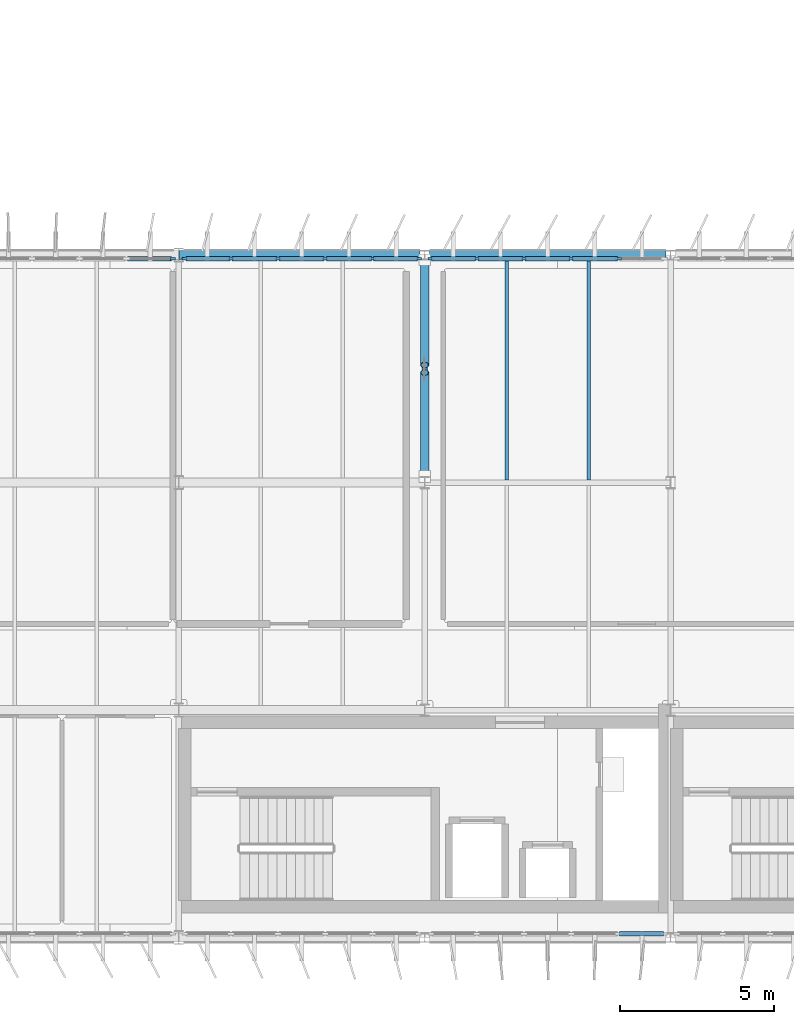
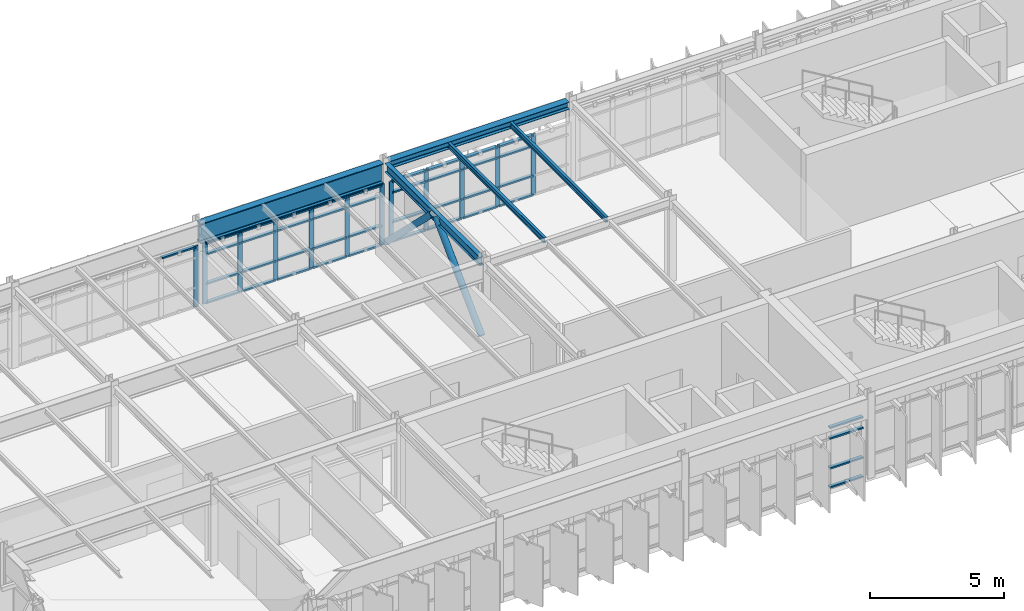
# One storey, part 8 of 35: 55 members, 5 beams, 4 elements without a shape of their own.
"""IFC4 building model written with IfcOpenShell, lengths in metres."""

from ifc_helpers import new_model, si_unit, direction, frame, origin, origin_2d, place, context, subcontext, project, spatial, rectangle, hollow_circle, i_section, extrude, material, layer, layer_set, material_profile, profile_set, type_object, element, aggregate, save


model = new_model("IFC4")

# Units and contexts
model_context = context("Model", 3, precision=1e-05, world=origin(), true_north=direction((0.0, 1.0)))
body_context = subcontext(model_context, "Body", "Model", "MODEL_VIEW")
ifc_project = project(units=[si_unit("LENGTHUNIT", "METRE"), si_unit("AREAUNIT", "SQUARE_METRE"), si_unit("VOLUMEUNIT", "CUBIC_METRE"), si_unit("PLANEANGLEUNIT", "RADIAN"), si_unit("MASSUNIT", "GRAM", prefix="KILO")], contexts=[model_context])

# Site, building, storey
site_placement = place(None, origin())
site = spatial("IfcSite", under=ifc_project, at=site_placement, CompositionType="ELEMENT")
building_placement = place(site_placement, origin())
building = spatial("IfcBuilding", under=site, at=building_placement, Name="Valkorina Park Police Headquarters", CompositionType="ELEMENT")
storey_placement = place(building_placement, frame((0.0, 0.0, 27.199951171875)))
storey = spatial("IfcBuildingStorey", under=building, at=storey_placement, Name="L07", CompositionType="ELEMENT", Elevation=27.199951171875)

# Beams
ifc_material_1 = material(Name="Steel S355", Category="steel")
ifc_material_profile_1 = material_profile(ifc_material_1, i_section(OverallWidth=0.300048828125, OverallDepth=0.330078125, WebThickness=0.009521484375, FlangeThickness=0.0166015625, FilletRadius=0.027099609375, at=origin_2d()), Name="HEA 340")
ifc_profile_set_1 = profile_set([ifc_material_profile_1], Name="Steel S355")
beam_type_1 = type_object("IfcBeamType", Name="BM-S355-HEA340-SPN", PredefinedType="SPANDREL", material=ifc_profile_set_1)
beam_1_placement = place(storey_placement, frame((24.949951171875, 59.199951171875, 3.51513671875), z_axis=(1.0, 0.0, 0.0), x_axis=(0.0, 1.0, 0.0)))
element("IfcBeam", 1, at=beam_1_placement, inside=storey, type_object=beam_type_1, Name="L07 Framing Beam 2747", PredefinedType="SPANDREL", context=body_context, shape_type="SweptSolid", body=[
    extrude(i_section(OverallWidth=0.300048828125, OverallDepth=0.330078125, WebThickness=0.009521484375, FlangeThickness=0.0166015625, FilletRadius=0.027099609375, at=origin_2d()), origin(), (0.0, 0.0, 1.0), 7.699951171875),
])
ifc_material_profile_2 = material_profile(ifc_material_1, i_section(OverallWidth=0.300048828125, OverallDepth=0.89990234375, WebThickness=0.0185546875, FlangeThickness=0.034912109375, FilletRadius=0.030029296875, at=origin_2d()), Name="HEB 900")
ifc_profile_set_2 = profile_set([ifc_material_profile_2], Name="Steel S355")
beam_type_2 = type_object("IfcBeamType", Name="BM-S355-HEB900-EXT", PredefinedType="SPANDREL", material=ifc_profile_set_2)
beam_2_placement = place(storey_placement, frame((16.806884765625, 59.199951171875, 3.22998046875), z_axis=(1.0, 0.0, 0.0), x_axis=(0.0, 1.0, 0.0)))
element("IfcBeam", 2, at=beam_2_placement, inside=storey, type_object=beam_type_2, Name="L07 Framing Beam 2746", PredefinedType="SPANDREL", context=body_context, shape_type="SweptSolid", body=[
    extrude(i_section(OverallWidth=0.300048828125, OverallDepth=0.89990234375, WebThickness=0.0185546875, FlangeThickness=0.034912109375, FilletRadius=0.030029296875, at=origin_2d()), origin(), (0.0, 0.0, 1.0), 7.843017578125),
])
ifc_material_profile_3 = material_profile(ifc_material_1, i_section(OverallWidth=0.1201171875, OverallDepth=0.239990234375, WebThickness=0.006103515625, FlangeThickness=0.009765625, FilletRadius=0.014892578125, at=origin_2d()), Name="IPE 240")
ifc_profile_set_3 = profile_set([ifc_material_profile_3], Name="Steel S355")
beam_type_3 = type_object("IfcBeamType", Name="BM-S355-IPE240-JST", PredefinedType="JOIST", material=ifc_profile_set_3)
for number, where, z_axis, x_axis, name in (
    (3, (27.466796875, 51.889892578125, 3.56005859375), (0.0, 1.0, 0.0), (-1.0, 0.0, 0.0), "L07 Framing Beam 2782"),
    (4, (30.13330078125, 51.889892578125, 3.56005859375), (0.0, 1.0, 0.0), (-1.0, 0.0, 0.0), "L07 Framing Beam 2783"),
):
    element("IfcBeam", number, at=place(storey_placement, frame(where, z_axis=z_axis, x_axis=x_axis)), inside=storey, type_object=beam_type_3, Name=name, PredefinedType="JOIST", context=body_context, shape_type="SweptSolid", body=[
        extrude(i_section(OverallWidth=0.1201171875, OverallDepth=0.239990234375, WebThickness=0.006103515625, FlangeThickness=0.009765625, FilletRadius=0.014892578125, at=origin_2d()), origin(), (0.0, 0.0, 1.0), 7.16015625),
    ])
ifc_material_profile_4 = material_profile(ifc_material_1, i_section(OverallWidth=0.179931640625, OverallDepth=0.39990234375, WebThickness=0.008544921875, FlangeThickness=0.013427734375, FilletRadius=0.02099609375, at=origin_2d()), Name="IPE 400")
ifc_profile_set_4 = profile_set([ifc_material_profile_4], Name="Steel S355")
beam_type_4 = type_object("IfcBeamType", Name="BM-S355-IPE400-BM", PredefinedType="BEAM", material=ifc_profile_set_4)
beam_3_placement = place(storey_placement, frame((24.800048828125, 51.9951171875, 3.47998046875), z_axis=(0.0, 1.0, 0.0), x_axis=(-1.0, 0.0, 0.0)))
element("IfcBeam", 5, at=beam_3_placement, inside=storey, type_object=beam_type_4, Name="L07 Framing Beam 2781", PredefinedType="BEAM", context=body_context, shape_type="SweptSolid", body=[
    extrude(i_section(OverallWidth=0.179931640625, OverallDepth=0.39990234375, WebThickness=0.008544921875, FlangeThickness=0.013427734375, FilletRadius=0.02099609375, at=origin_2d()), origin(), (0.0, 0.0, 1.0), 7.054931640625),
])

# Curtain wall, member
ifc_material_2 = material(Name="Thermally broken aluminium AW-6060", Category="aluminium")
ifc_layer = layer(ifc_material_2, 0.18994140625)
ifc_layer_set = layer_set([ifc_layer], Name="Thermally broken aluminium AW-6060")
curtain_wall_type = type_object("IfcCurtainWallType", Name="CW-V5-7680x2770", PredefinedType="NOTDEFINED", material=ifc_layer_set)
curtain_wall_1_placement = place(storey_placement, origin())
curtain_wall_1 = element("IfcCurtainWall", 6, at=curtain_wall_1_placement, inside=storey, type_object=curtain_wall_type, Name="L07 Unitised Curtain Wall 146", PredefinedType="NOTDEFINED")
ifc_material_profile_5 = material_profile(ifc_material_2, rectangle(XDim=0.070068359375, YDim=0.18994140625, at=origin_2d()), Name="CWM-02 70x190")
ifc_profile_set_5 = profile_set([ifc_material_profile_5], Name="Thermally broken aluminium AW-6060")
member_type_1 = type_object("IfcMemberType", Name="CWM-70x190", PredefinedType="MULLION", material=ifc_profile_set_5)
member_1_placement = place(storey_placement, frame((16.60498046875, 59.080078125, 0.0), z_axis=(0.0, 0.0, 1.0), x_axis=(0.0, 1.0, 0.0)))
member_1 = element("IfcMember", 7, at=member_1_placement, type_object=member_type_1, Name="CW-V5-768-277 mullion 6", PredefinedType="MULLION", context=body_context, shape_type="SweptSolid", body=[
    extrude(rectangle(XDim=0.070068359375, YDim=0.18994140625, at=origin_2d()), origin(), (0.0, 0.0, 1.0), 2.77001953125),
])

# Curtain wall, members
curtain_wall_2_placement = place(storey_placement, origin())
curtain_wall_2 = element("IfcCurtainWall", 8, at=curtain_wall_2_placement, inside=storey, type_object=curtain_wall_type, Name="L07 Unitised Curtain Wall 147", PredefinedType="NOTDEFINED")
member_2_placement = place(storey_placement, frame((16.9951171875, 59.080078125, 0.0), z_axis=(0.0, 0.0, 1.0), x_axis=(0.0, 1.0, 0.0)))
member_2 = element("IfcMember", 9, at=member_2_placement, type_object=member_type_1, Name="CW-V5-768-277 mullion 1", PredefinedType="MULLION", context=body_context, shape_type="SweptSolid", body=[
    extrude(rectangle(XDim=0.070068359375, YDim=0.18994140625, at=origin_2d()), origin(), (0.0, 0.0, 1.0), 2.77001953125),
])
member_3_placement = place(storey_placement, frame((18.49609375, 59.080078125, 0.0), z_axis=(0.0, 0.0, 1.0), x_axis=(0.0, 1.0, 0.0)))
member_3 = element("IfcMember", 10, at=member_3_placement, type_object=member_type_1, Name="CW-V5-768-277 mullion 2", PredefinedType="MULLION", context=body_context, shape_type="SweptSolid", body=[
    extrude(rectangle(XDim=0.070068359375, YDim=0.18994140625, at=origin_2d()), origin(), (0.0, 0.0, 1.0), 2.77001953125),
])
member_4_placement = place(storey_placement, frame((20.031982421875, 59.080078125, 0.0), z_axis=(0.0, 0.0, 1.0), x_axis=(0.0, 1.0, 0.0)))
member_4 = element("IfcMember", 11, at=member_4_placement, type_object=member_type_1, Name="CW-V5-768-277 mullion 3", PredefinedType="MULLION", context=body_context, shape_type="SweptSolid", body=[
    extrude(rectangle(XDim=0.070068359375, YDim=0.18994140625, at=origin_2d()), origin(), (0.0, 0.0, 1.0), 2.77001953125),
])
member_5_placement = place(storey_placement, frame((21.568115234375, 59.080078125, 0.0), z_axis=(0.0, 0.0, 1.0), x_axis=(0.0, 1.0, 0.0)))
member_5 = element("IfcMember", 12, at=member_5_placement, type_object=member_type_1, Name="CW-V5-768-277 mullion 4", PredefinedType="MULLION", context=body_context, shape_type="SweptSolid", body=[
    extrude(rectangle(XDim=0.070068359375, YDim=0.18994140625, at=origin_2d()), origin(), (0.0, 0.0, 1.0), 2.77001953125),
])
member_6_placement = place(storey_placement, frame((23.10400390625, 59.080078125, 0.0), z_axis=(0.0, 0.0, 1.0), x_axis=(0.0, 1.0, 0.0)))
member_6 = element("IfcMember", 13, at=member_6_placement, type_object=member_type_1, Name="CW-V5-768-277 mullion 5", PredefinedType="MULLION", context=body_context, shape_type="SweptSolid", body=[
    extrude(rectangle(XDim=0.070068359375, YDim=0.18994140625, at=origin_2d()), origin(), (0.0, 0.0, 1.0), 2.77001953125),
])
member_7_placement = place(storey_placement, frame((24.60498046875, 59.080078125, 0.0), z_axis=(0.0, 0.0, 1.0), x_axis=(0.0, 1.0, 0.0)))
member_7 = element("IfcMember", 14, at=member_7_placement, type_object=member_type_1, Name="CW-V5-768-277 mullion 6", PredefinedType="MULLION", context=body_context, shape_type="SweptSolid", body=[
    extrude(rectangle(XDim=0.070068359375, YDim=0.18994140625, at=origin_2d()), origin(), (0.0, 0.0, 1.0), 2.77001953125),
])

curtain_wall_3_placement = place(storey_placement, origin())
curtain_wall_3 = element("IfcCurtainWall", 15, at=curtain_wall_3_placement, inside=storey, type_object=curtain_wall_type, Name="L07 Unitised Curtain Wall 148", PredefinedType="NOTDEFINED")
member_8_placement = place(storey_placement, frame((24.9951171875, 59.080078125, 0.0), z_axis=(0.0, 0.0, 1.0), x_axis=(0.0, 1.0, 0.0)))
member_8 = element("IfcMember", 16, at=member_8_placement, type_object=member_type_1, Name="CW-V5-768-277 mullion 1", PredefinedType="MULLION", context=body_context, shape_type="SweptSolid", body=[
    extrude(rectangle(XDim=0.070068359375, YDim=0.18994140625, at=origin_2d()), origin(), (0.0, 0.0, 1.0), 2.77001953125),
])
member_9_placement = place(storey_placement, frame((26.49609375, 59.080078125, 0.0), z_axis=(0.0, 0.0, 1.0), x_axis=(0.0, 1.0, 0.0)))
member_9 = element("IfcMember", 17, at=member_9_placement, type_object=member_type_1, Name="CW-V5-768-277 mullion 2", PredefinedType="MULLION", context=body_context, shape_type="SweptSolid", body=[
    extrude(rectangle(XDim=0.070068359375, YDim=0.18994140625, at=origin_2d()), origin(), (0.0, 0.0, 1.0), 2.77001953125),
])
member_10_placement = place(storey_placement, frame((28.031982421875, 59.080078125, 0.0), z_axis=(0.0, 0.0, 1.0), x_axis=(0.0, 1.0, 0.0)))
member_10 = element("IfcMember", 18, at=member_10_placement, type_object=member_type_1, Name="CW-V5-768-277 mullion 3", PredefinedType="MULLION", context=body_context, shape_type="SweptSolid", body=[
    extrude(rectangle(XDim=0.070068359375, YDim=0.18994140625, at=origin_2d()), origin(), (0.0, 0.0, 1.0), 2.77001953125),
])
member_11_placement = place(storey_placement, frame((29.568115234375, 59.080078125, 0.0), z_axis=(0.0, 0.0, 1.0), x_axis=(0.0, 1.0, 0.0)))
member_11 = element("IfcMember", 19, at=member_11_placement, type_object=member_type_1, Name="CW-V5-768-277 mullion 4", PredefinedType="MULLION", context=body_context, shape_type="SweptSolid", body=[
    extrude(rectangle(XDim=0.070068359375, YDim=0.18994140625, at=origin_2d()), origin(), (0.0, 0.0, 1.0), 2.77001953125),
])
member_12_placement = place(storey_placement, frame((31.10400390625, 59.080078125, 0.0), z_axis=(0.0, 0.0, 1.0), x_axis=(0.0, 1.0, 0.0)))
member_12 = element("IfcMember", 20, at=member_12_placement, type_object=member_type_1, Name="CW-V5-768-277 mullion 5", PredefinedType="MULLION", context=body_context, shape_type="SweptSolid", body=[
    extrude(rectangle(XDim=0.070068359375, YDim=0.18994140625, at=origin_2d()), origin(), (0.0, 0.0, 1.0), 2.77001953125),
])

curtain_wall_4_placement = place(storey_placement, origin())
curtain_wall_4 = element("IfcCurtainWall", 21, at=curtain_wall_4_placement, inside=storey, type_object=curtain_wall_type, Name="L07 Unitised Curtain Wall 138", PredefinedType="NOTDEFINED")
ifc_material_profile_6 = material_profile(ifc_material_2, rectangle(XDim=0.14990234375, YDim=0.070068359375, at=origin_2d()), Name="CWT-02 150x70")
ifc_profile_set_6 = profile_set([ifc_material_profile_6], Name="Thermally broken aluminium AW-6060")
member_type_2 = type_object("IfcMemberType", Name="CWT-150x70", PredefinedType="USERDEFINED", material=ifc_profile_set_6)
member_13_placement = place(storey_placement, frame((32.570068359375, 37.1201171875, 0.03515625), z_axis=(-1.0, 0.0, 0.0), x_axis=(0.0, -1.0, 0.0)))
member_13 = element("IfcMember", 22, at=member_13_placement, type_object=member_type_2, Name="CW-V5-768-277 transom 1.1", ObjectType="TRANSOM", PredefinedType="USERDEFINED", context=body_context, shape_type="SweptSolid", body=[
    extrude(rectangle(XDim=0.14990234375, YDim=0.070068359375, at=origin_2d()), origin(), (0.0, 0.0, 1.0), 1.43115234375),
])
member_14_placement = place(storey_placement, frame((32.570068359375, 37.1201171875, 0.900146484375), z_axis=(-1.0, 0.0, 0.0), x_axis=(0.0, -1.0, 0.0)))
member_14 = element("IfcMember", 23, at=member_14_placement, type_object=member_type_2, Name="CW-V5-768-277 transom 1.2", ObjectType="TRANSOM", PredefinedType="USERDEFINED", context=body_context, shape_type="SweptSolid", body=[
    extrude(rectangle(XDim=0.14990234375, YDim=0.070068359375, at=origin_2d()), origin(), (0.0, 0.0, 1.0), 1.43115234375),
])
member_15_placement = place(storey_placement, frame((32.570068359375, 37.1201171875, 2.25), z_axis=(-1.0, 0.0, 0.0), x_axis=(0.0, -1.0, 0.0)))
member_15 = element("IfcMember", 24, at=member_15_placement, type_object=member_type_2, Name="CW-V5-768-277 transom 1.3", ObjectType="TRANSOM", PredefinedType="USERDEFINED", context=body_context, shape_type="SweptSolid", body=[
    extrude(rectangle(XDim=0.14990234375, YDim=0.070068359375, at=origin_2d()), origin(), (0.0, 0.0, 1.0), 1.43115234375),
])
member_16_placement = place(storey_placement, frame((32.570068359375, 37.1201171875, 2.735107421875), z_axis=(-1.0, 0.0, 0.0), x_axis=(0.0, -1.0, 0.0)))
member_16 = element("IfcMember", 25, at=member_16_placement, type_object=member_type_2, Name="CW-V5-768-277 transom 1.4", ObjectType="TRANSOM", PredefinedType="USERDEFINED", context=body_context, shape_type="SweptSolid", body=[
    extrude(rectangle(XDim=0.14990234375, YDim=0.070068359375, at=origin_2d()), origin(), (0.0, 0.0, 1.0), 1.43115234375),
])
aggregate(curtain_wall_4, [member_13, member_14, member_15, member_16])

# Member
member_17_placement = place(storey_placement, frame((15.138916015625, 59.080078125, 2.735107421875), z_axis=(1.0, 0.0, 0.0), x_axis=(0.0, 1.0, 0.0)))
member_17 = element("IfcMember", 26, at=member_17_placement, type_object=member_type_2, Name="CW-V5-768-277 transom 5.4", ObjectType="TRANSOM", PredefinedType="USERDEFINED", context=body_context, shape_type="SweptSolid", body=[
    extrude(rectangle(XDim=0.14990234375, YDim=0.070068359375, at=origin_2d()), origin(), (0.0, 0.0, 1.0), 1.43115234375),
])

aggregate(curtain_wall_1, [member_1, member_17])

member_18_placement = place(storey_placement, frame((17.030029296875, 59.080078125, 0.03515625), z_axis=(1.0, 0.0, 0.0), x_axis=(0.0, 1.0, 0.0)))
member_18 = element("IfcMember", 27, at=member_18_placement, type_object=member_type_2, Name="CW-V5-768-277 transom 1.1", ObjectType="TRANSOM", PredefinedType="USERDEFINED", context=body_context, shape_type="SweptSolid", body=[
    extrude(rectangle(XDim=0.14990234375, YDim=0.070068359375, at=origin_2d()), origin(), (0.0, 0.0, 1.0), 1.430908203125),
])

member_19_placement = place(storey_placement, frame((17.030029296875, 59.080078125, 0.900146484375), z_axis=(1.0, 0.0, 0.0), x_axis=(0.0, 1.0, 0.0)))
member_19 = element("IfcMember", 28, at=member_19_placement, type_object=member_type_2, Name="CW-V5-768-277 transom 1.2", ObjectType="TRANSOM", PredefinedType="USERDEFINED", context=body_context, shape_type="SweptSolid", body=[
    extrude(rectangle(XDim=0.14990234375, YDim=0.070068359375, at=origin_2d()), origin(), (0.0, 0.0, 1.0), 1.430908203125),
])

member_20_placement = place(storey_placement, frame((17.030029296875, 59.080078125, 2.25), z_axis=(1.0, 0.0, 0.0), x_axis=(0.0, 1.0, 0.0)))
member_20 = element("IfcMember", 29, at=member_20_placement, type_object=member_type_2, Name="CW-V5-768-277 transom 1.3", ObjectType="TRANSOM", PredefinedType="USERDEFINED", context=body_context, shape_type="SweptSolid", body=[
    extrude(rectangle(XDim=0.14990234375, YDim=0.070068359375, at=origin_2d()), origin(), (0.0, 0.0, 1.0), 1.430908203125),
])

member_21_placement = place(storey_placement, frame((17.030029296875, 59.080078125, 2.735107421875), z_axis=(1.0, 0.0, 0.0), x_axis=(0.0, 1.0, 0.0)))
member_21 = element("IfcMember", 30, at=member_21_placement, type_object=member_type_2, Name="CW-V5-768-277 transom 1.4", ObjectType="TRANSOM", PredefinedType="USERDEFINED", context=body_context, shape_type="SweptSolid", body=[
    extrude(rectangle(XDim=0.14990234375, YDim=0.070068359375, at=origin_2d()), origin(), (0.0, 0.0, 1.0), 1.430908203125),
])

member_22_placement = place(storey_placement, frame((18.531005859375, 59.080078125, 0.03515625), z_axis=(1.0, 0.0, 0.0), x_axis=(0.0, 1.0, 0.0)))
member_22 = element("IfcMember", 31, at=member_22_placement, type_object=member_type_2, Name="CW-V5-768-277 transom 2.1", ObjectType="TRANSOM", PredefinedType="USERDEFINED", context=body_context, shape_type="SweptSolid", body=[
    extrude(rectangle(XDim=0.14990234375, YDim=0.070068359375, at=origin_2d()), origin(), (0.0, 0.0, 1.0), 1.466064453125),
])

member_23_placement = place(storey_placement, frame((18.531005859375, 59.080078125, 0.900146484375), z_axis=(1.0, 0.0, 0.0), x_axis=(0.0, 1.0, 0.0)))
member_23 = element("IfcMember", 32, at=member_23_placement, type_object=member_type_2, Name="CW-V5-768-277 transom 2.2", ObjectType="TRANSOM", PredefinedType="USERDEFINED", context=body_context, shape_type="SweptSolid", body=[
    extrude(rectangle(XDim=0.14990234375, YDim=0.070068359375, at=origin_2d()), origin(), (0.0, 0.0, 1.0), 1.466064453125),
])

member_24_placement = place(storey_placement, frame((18.531005859375, 59.080078125, 2.25), z_axis=(1.0, 0.0, 0.0), x_axis=(0.0, 1.0, 0.0)))
member_24 = element("IfcMember", 33, at=member_24_placement, type_object=member_type_2, Name="CW-V5-768-277 transom 2.3", ObjectType="TRANSOM", PredefinedType="USERDEFINED", context=body_context, shape_type="SweptSolid", body=[
    extrude(rectangle(XDim=0.14990234375, YDim=0.070068359375, at=origin_2d()), origin(), (0.0, 0.0, 1.0), 1.466064453125),
])

member_25_placement = place(storey_placement, frame((18.531005859375, 59.080078125, 2.735107421875), z_axis=(1.0, 0.0, 0.0), x_axis=(0.0, 1.0, 0.0)))
member_25 = element("IfcMember", 34, at=member_25_placement, type_object=member_type_2, Name="CW-V5-768-277 transom 2.4", ObjectType="TRANSOM", PredefinedType="USERDEFINED", context=body_context, shape_type="SweptSolid", body=[
    extrude(rectangle(XDim=0.14990234375, YDim=0.070068359375, at=origin_2d()), origin(), (0.0, 0.0, 1.0), 1.466064453125),
])

member_26_placement = place(storey_placement, frame((20.06689453125, 59.080078125, 0.03515625), z_axis=(1.0, 0.0, 0.0), x_axis=(0.0, 1.0, 0.0)))
member_26 = element("IfcMember", 35, at=member_26_placement, type_object=member_type_2, Name="CW-V5-768-277 transom 3.1", ObjectType="TRANSOM", PredefinedType="USERDEFINED", context=body_context, shape_type="SweptSolid", body=[
    extrude(rectangle(XDim=0.14990234375, YDim=0.070068359375, at=origin_2d()), origin(), (0.0, 0.0, 1.0), 1.466064453125),
])

member_27_placement = place(storey_placement, frame((20.06689453125, 59.080078125, 0.900146484375), z_axis=(1.0, 0.0, 0.0), x_axis=(0.0, 1.0, 0.0)))
member_27 = element("IfcMember", 36, at=member_27_placement, type_object=member_type_2, Name="CW-V5-768-277 transom 3.2", ObjectType="TRANSOM", PredefinedType="USERDEFINED", context=body_context, shape_type="SweptSolid", body=[
    extrude(rectangle(XDim=0.14990234375, YDim=0.070068359375, at=origin_2d()), origin(), (0.0, 0.0, 1.0), 1.466064453125),
])

member_28_placement = place(storey_placement, frame((20.06689453125, 59.080078125, 2.25), z_axis=(1.0, 0.0, 0.0), x_axis=(0.0, 1.0, 0.0)))
member_28 = element("IfcMember", 37, at=member_28_placement, type_object=member_type_2, Name="CW-V5-768-277 transom 3.3", ObjectType="TRANSOM", PredefinedType="USERDEFINED", context=body_context, shape_type="SweptSolid", body=[
    extrude(rectangle(XDim=0.14990234375, YDim=0.070068359375, at=origin_2d()), origin(), (0.0, 0.0, 1.0), 1.466064453125),
])

member_29_placement = place(storey_placement, frame((20.06689453125, 59.080078125, 2.735107421875), z_axis=(1.0, 0.0, 0.0), x_axis=(0.0, 1.0, 0.0)))
member_29 = element("IfcMember", 38, at=member_29_placement, type_object=member_type_2, Name="CW-V5-768-277 transom 3.4", ObjectType="TRANSOM", PredefinedType="USERDEFINED", context=body_context, shape_type="SweptSolid", body=[
    extrude(rectangle(XDim=0.14990234375, YDim=0.070068359375, at=origin_2d()), origin(), (0.0, 0.0, 1.0), 1.466064453125),
])

member_30_placement = place(storey_placement, frame((21.60302734375, 59.080078125, 0.03515625), z_axis=(1.0, 0.0, 0.0), x_axis=(0.0, 1.0, 0.0)))
member_30 = element("IfcMember", 39, at=member_30_placement, type_object=member_type_2, Name="CW-V5-768-277 transom 4.1", ObjectType="TRANSOM", PredefinedType="USERDEFINED", context=body_context, shape_type="SweptSolid", body=[
    extrude(rectangle(XDim=0.14990234375, YDim=0.070068359375, at=origin_2d()), origin(), (0.0, 0.0, 1.0), 1.466064453125),
])

member_31_placement = place(storey_placement, frame((21.60302734375, 59.080078125, 0.900146484375), z_axis=(1.0, 0.0, 0.0), x_axis=(0.0, 1.0, 0.0)))
member_31 = element("IfcMember", 40, at=member_31_placement, type_object=member_type_2, Name="CW-V5-768-277 transom 4.2", ObjectType="TRANSOM", PredefinedType="USERDEFINED", context=body_context, shape_type="SweptSolid", body=[
    extrude(rectangle(XDim=0.14990234375, YDim=0.070068359375, at=origin_2d()), origin(), (0.0, 0.0, 1.0), 1.466064453125),
])

member_32_placement = place(storey_placement, frame((21.60302734375, 59.080078125, 2.25), z_axis=(1.0, 0.0, 0.0), x_axis=(0.0, 1.0, 0.0)))
member_32 = element("IfcMember", 41, at=member_32_placement, type_object=member_type_2, Name="CW-V5-768-277 transom 4.3", ObjectType="TRANSOM", PredefinedType="USERDEFINED", context=body_context, shape_type="SweptSolid", body=[
    extrude(rectangle(XDim=0.14990234375, YDim=0.070068359375, at=origin_2d()), origin(), (0.0, 0.0, 1.0), 1.466064453125),
])

member_33_placement = place(storey_placement, frame((21.60302734375, 59.080078125, 2.735107421875), z_axis=(1.0, 0.0, 0.0), x_axis=(0.0, 1.0, 0.0)))
member_33 = element("IfcMember", 42, at=member_33_placement, type_object=member_type_2, Name="CW-V5-768-277 transom 4.4", ObjectType="TRANSOM", PredefinedType="USERDEFINED", context=body_context, shape_type="SweptSolid", body=[
    extrude(rectangle(XDim=0.14990234375, YDim=0.070068359375, at=origin_2d()), origin(), (0.0, 0.0, 1.0), 1.466064453125),
])

member_34_placement = place(storey_placement, frame((23.138916015625, 59.080078125, 0.03515625), z_axis=(1.0, 0.0, 0.0), x_axis=(0.0, 1.0, 0.0)))
member_34 = element("IfcMember", 43, at=member_34_placement, type_object=member_type_2, Name="CW-V5-768-277 transom 5.1", ObjectType="TRANSOM", PredefinedType="USERDEFINED", context=body_context, shape_type="SweptSolid", body=[
    extrude(rectangle(XDim=0.14990234375, YDim=0.070068359375, at=origin_2d()), origin(), (0.0, 0.0, 1.0), 1.43115234375),
])

member_35_placement = place(storey_placement, frame((23.138916015625, 59.080078125, 0.900146484375), z_axis=(1.0, 0.0, 0.0), x_axis=(0.0, 1.0, 0.0)))
member_35 = element("IfcMember", 44, at=member_35_placement, type_object=member_type_2, Name="CW-V5-768-277 transom 5.2", ObjectType="TRANSOM", PredefinedType="USERDEFINED", context=body_context, shape_type="SweptSolid", body=[
    extrude(rectangle(XDim=0.14990234375, YDim=0.070068359375, at=origin_2d()), origin(), (0.0, 0.0, 1.0), 1.43115234375),
])

member_36_placement = place(storey_placement, frame((23.138916015625, 59.080078125, 2.25), z_axis=(1.0, 0.0, 0.0), x_axis=(0.0, 1.0, 0.0)))
member_36 = element("IfcMember", 45, at=member_36_placement, type_object=member_type_2, Name="CW-V5-768-277 transom 5.3", ObjectType="TRANSOM", PredefinedType="USERDEFINED", context=body_context, shape_type="SweptSolid", body=[
    extrude(rectangle(XDim=0.14990234375, YDim=0.070068359375, at=origin_2d()), origin(), (0.0, 0.0, 1.0), 1.43115234375),
])

member_37_placement = place(storey_placement, frame((23.138916015625, 59.080078125, 2.735107421875), z_axis=(1.0, 0.0, 0.0), x_axis=(0.0, 1.0, 0.0)))
member_37 = element("IfcMember", 46, at=member_37_placement, type_object=member_type_2, Name="CW-V5-768-277 transom 5.4", ObjectType="TRANSOM", PredefinedType="USERDEFINED", context=body_context, shape_type="SweptSolid", body=[
    extrude(rectangle(XDim=0.14990234375, YDim=0.070068359375, at=origin_2d()), origin(), (0.0, 0.0, 1.0), 1.43115234375),
])

aggregate(curtain_wall_2, [member_2, member_3, member_4, member_5, member_6, member_7, member_18, member_19, member_20, member_21, member_22, member_23, member_24, member_25, member_26, member_27, member_28, member_29, member_30, member_31, member_32, member_33, member_34, member_35, member_36, member_37])

member_38_placement = place(storey_placement, frame((25.030029296875, 59.080078125, 0.03515625), z_axis=(1.0, 0.0, 0.0), x_axis=(0.0, 1.0, 0.0)))
member_38 = element("IfcMember", 47, at=member_38_placement, type_object=member_type_2, Name="CW-V5-768-277 transom 1.1", ObjectType="TRANSOM", PredefinedType="USERDEFINED", context=body_context, shape_type="SweptSolid", body=[
    extrude(rectangle(XDim=0.14990234375, YDim=0.070068359375, at=origin_2d()), origin(), (0.0, 0.0, 1.0), 1.430908203125),
])

member_39_placement = place(storey_placement, frame((25.030029296875, 59.080078125, 0.900146484375), z_axis=(1.0, 0.0, 0.0), x_axis=(0.0, 1.0, 0.0)))
member_39 = element("IfcMember", 48, at=member_39_placement, type_object=member_type_2, Name="CW-V5-768-277 transom 1.2", ObjectType="TRANSOM", PredefinedType="USERDEFINED", context=body_context, shape_type="SweptSolid", body=[
    extrude(rectangle(XDim=0.14990234375, YDim=0.070068359375, at=origin_2d()), origin(), (0.0, 0.0, 1.0), 1.430908203125),
])

member_40_placement = place(storey_placement, frame((25.030029296875, 59.080078125, 2.25), z_axis=(1.0, 0.0, 0.0), x_axis=(0.0, 1.0, 0.0)))
member_40 = element("IfcMember", 49, at=member_40_placement, type_object=member_type_2, Name="CW-V5-768-277 transom 1.3", ObjectType="TRANSOM", PredefinedType="USERDEFINED", context=body_context, shape_type="SweptSolid", body=[
    extrude(rectangle(XDim=0.14990234375, YDim=0.070068359375, at=origin_2d()), origin(), (0.0, 0.0, 1.0), 1.430908203125),
])

member_41_placement = place(storey_placement, frame((25.030029296875, 59.080078125, 2.735107421875), z_axis=(1.0, 0.0, 0.0), x_axis=(0.0, 1.0, 0.0)))
member_41 = element("IfcMember", 50, at=member_41_placement, type_object=member_type_2, Name="CW-V5-768-277 transom 1.4", ObjectType="TRANSOM", PredefinedType="USERDEFINED", context=body_context, shape_type="SweptSolid", body=[
    extrude(rectangle(XDim=0.14990234375, YDim=0.070068359375, at=origin_2d()), origin(), (0.0, 0.0, 1.0), 1.430908203125),
])

member_42_placement = place(storey_placement, frame((26.531005859375, 59.080078125, 0.03515625), z_axis=(1.0, 0.0, 0.0), x_axis=(0.0, 1.0, 0.0)))
member_42 = element("IfcMember", 51, at=member_42_placement, type_object=member_type_2, Name="CW-V5-768-277 transom 2.1", ObjectType="TRANSOM", PredefinedType="USERDEFINED", context=body_context, shape_type="SweptSolid", body=[
    extrude(rectangle(XDim=0.14990234375, YDim=0.070068359375, at=origin_2d()), origin(), (0.0, 0.0, 1.0), 1.466064453125),
])

member_43_placement = place(storey_placement, frame((26.531005859375, 59.080078125, 0.900146484375), z_axis=(1.0, 0.0, 0.0), x_axis=(0.0, 1.0, 0.0)))
member_43 = element("IfcMember", 52, at=member_43_placement, type_object=member_type_2, Name="CW-V5-768-277 transom 2.2", ObjectType="TRANSOM", PredefinedType="USERDEFINED", context=body_context, shape_type="SweptSolid", body=[
    extrude(rectangle(XDim=0.14990234375, YDim=0.070068359375, at=origin_2d()), origin(), (0.0, 0.0, 1.0), 1.466064453125),
])

member_44_placement = place(storey_placement, frame((26.531005859375, 59.080078125, 2.25), z_axis=(1.0, 0.0, 0.0), x_axis=(0.0, 1.0, 0.0)))
member_44 = element("IfcMember", 53, at=member_44_placement, type_object=member_type_2, Name="CW-V5-768-277 transom 2.3", ObjectType="TRANSOM", PredefinedType="USERDEFINED", context=body_context, shape_type="SweptSolid", body=[
    extrude(rectangle(XDim=0.14990234375, YDim=0.070068359375, at=origin_2d()), origin(), (0.0, 0.0, 1.0), 1.466064453125),
])

member_45_placement = place(storey_placement, frame((26.531005859375, 59.080078125, 2.735107421875), z_axis=(1.0, 0.0, 0.0), x_axis=(0.0, 1.0, 0.0)))
member_45 = element("IfcMember", 54, at=member_45_placement, type_object=member_type_2, Name="CW-V5-768-277 transom 2.4", ObjectType="TRANSOM", PredefinedType="USERDEFINED", context=body_context, shape_type="SweptSolid", body=[
    extrude(rectangle(XDim=0.14990234375, YDim=0.070068359375, at=origin_2d()), origin(), (0.0, 0.0, 1.0), 1.466064453125),
])

member_46_placement = place(storey_placement, frame((28.06689453125, 59.080078125, 0.03515625), z_axis=(1.0, 0.0, 0.0), x_axis=(0.0, 1.0, 0.0)))
member_46 = element("IfcMember", 55, at=member_46_placement, type_object=member_type_2, Name="CW-V5-768-277 transom 3.1", ObjectType="TRANSOM", PredefinedType="USERDEFINED", context=body_context, shape_type="SweptSolid", body=[
    extrude(rectangle(XDim=0.14990234375, YDim=0.070068359375, at=origin_2d()), origin(), (0.0, 0.0, 1.0), 1.466064453125),
])

member_47_placement = place(storey_placement, frame((28.06689453125, 59.080078125, 0.900146484375), z_axis=(1.0, 0.0, 0.0), x_axis=(0.0, 1.0, 0.0)))
member_47 = element("IfcMember", 56, at=member_47_placement, type_object=member_type_2, Name="CW-V5-768-277 transom 3.2", ObjectType="TRANSOM", PredefinedType="USERDEFINED", context=body_context, shape_type="SweptSolid", body=[
    extrude(rectangle(XDim=0.14990234375, YDim=0.070068359375, at=origin_2d()), origin(), (0.0, 0.0, 1.0), 1.466064453125),
])

member_48_placement = place(storey_placement, frame((28.06689453125, 59.080078125, 2.25), z_axis=(1.0, 0.0, 0.0), x_axis=(0.0, 1.0, 0.0)))
member_48 = element("IfcMember", 57, at=member_48_placement, type_object=member_type_2, Name="CW-V5-768-277 transom 3.3", ObjectType="TRANSOM", PredefinedType="USERDEFINED", context=body_context, shape_type="SweptSolid", body=[
    extrude(rectangle(XDim=0.14990234375, YDim=0.070068359375, at=origin_2d()), origin(), (0.0, 0.0, 1.0), 1.466064453125),
])

member_49_placement = place(storey_placement, frame((28.06689453125, 59.080078125, 2.735107421875), z_axis=(1.0, 0.0, 0.0), x_axis=(0.0, 1.0, 0.0)))
member_49 = element("IfcMember", 58, at=member_49_placement, type_object=member_type_2, Name="CW-V5-768-277 transom 3.4", ObjectType="TRANSOM", PredefinedType="USERDEFINED", context=body_context, shape_type="SweptSolid", body=[
    extrude(rectangle(XDim=0.14990234375, YDim=0.070068359375, at=origin_2d()), origin(), (0.0, 0.0, 1.0), 1.466064453125),
])

member_50_placement = place(storey_placement, frame((29.60302734375, 59.080078125, 0.03515625), z_axis=(1.0, 0.0, 0.0), x_axis=(0.0, 1.0, 0.0)))
member_50 = element("IfcMember", 59, at=member_50_placement, type_object=member_type_2, Name="CW-V5-768-277 transom 4.1", ObjectType="TRANSOM", PredefinedType="USERDEFINED", context=body_context, shape_type="SweptSolid", body=[
    extrude(rectangle(XDim=0.14990234375, YDim=0.070068359375, at=origin_2d()), origin(), (0.0, 0.0, 1.0), 1.466064453125),
])

member_51_placement = place(storey_placement, frame((29.60302734375, 59.080078125, 0.900146484375), z_axis=(1.0, 0.0, 0.0), x_axis=(0.0, 1.0, 0.0)))
member_51 = element("IfcMember", 60, at=member_51_placement, type_object=member_type_2, Name="CW-V5-768-277 transom 4.2", ObjectType="TRANSOM", PredefinedType="USERDEFINED", context=body_context, shape_type="SweptSolid", body=[
    extrude(rectangle(XDim=0.14990234375, YDim=0.070068359375, at=origin_2d()), origin(), (0.0, 0.0, 1.0), 1.466064453125),
])

member_52_placement = place(storey_placement, frame((29.60302734375, 59.080078125, 2.25), z_axis=(1.0, 0.0, 0.0), x_axis=(0.0, 1.0, 0.0)))
member_52 = element("IfcMember", 61, at=member_52_placement, type_object=member_type_2, Name="CW-V5-768-277 transom 4.3", ObjectType="TRANSOM", PredefinedType="USERDEFINED", context=body_context, shape_type="SweptSolid", body=[
    extrude(rectangle(XDim=0.14990234375, YDim=0.070068359375, at=origin_2d()), origin(), (0.0, 0.0, 1.0), 1.466064453125),
])

member_53_placement = place(storey_placement, frame((29.60302734375, 59.080078125, 2.735107421875), z_axis=(1.0, 0.0, 0.0), x_axis=(0.0, 1.0, 0.0)))
member_53 = element("IfcMember", 62, at=member_53_placement, type_object=member_type_2, Name="CW-V5-768-277 transom 4.4", ObjectType="TRANSOM", PredefinedType="USERDEFINED", context=body_context, shape_type="SweptSolid", body=[
    extrude(rectangle(XDim=0.14990234375, YDim=0.070068359375, at=origin_2d()), origin(), (0.0, 0.0, 1.0), 1.466064453125),
])

aggregate(curtain_wall_3, [member_8, member_9, member_10, member_11, member_12, member_38, member_39, member_40, member_41, member_42, member_43, member_44, member_45, member_46, member_47, member_48, member_49, member_50, member_51, member_52, member_53])

# Members
ifc_material_profile_7 = material_profile(ifc_material_1, hollow_circle(Radius=0.136474609375, WallThickness=0.012451171875, at=origin_2d()), Name="CHS 273x12.5")
ifc_profile_set_7 = profile_set([ifc_material_profile_7], Name="Steel S355")
member_type_3 = type_object("IfcMemberType", Name="MB-S355-CHS273-BRC", PredefinedType="BRACE", material=ifc_profile_set_7)
member_54_placement = place(storey_placement, frame((24.800048828125, 51.9951171875, 0.10009765625), z_axis=(0.0, 0.709712705049, 0.704491218038), x_axis=(-1.0, 0.0, 0.0)))
element("IfcMember", 63, at=member_54_placement, inside=storey, type_object=member_type_3, Name="L07 Concentric Chevron Brace 013", PredefinedType="BRACE", context=body_context, shape_type="SweptSolid", body=[
    extrude(hollow_circle(Radius=0.136474609375, WallThickness=0.012451171875, at=origin_2d()), origin(), (0.0, 0.0, 1.0), 4.769287109375),
])
member_55_placement = place(storey_placement, frame((24.800048828125, 59.050048828125, 0.10009765625), z_axis=(0.0, -0.714365843816, 0.699772420998), x_axis=(1.0, 0.0, 0.0)))
element("IfcMember", 64, at=member_55_placement, inside=storey, type_object=member_type_3, Name="L07 Concentric Chevron Brace 014", PredefinedType="BRACE", context=body_context, shape_type="SweptSolid", body=[
    extrude(hollow_circle(Radius=0.136474609375, WallThickness=0.012451171875, at=origin_2d()), origin(), (0.0, 0.0, 1.0), 4.80126953125),
])

save(model, "model.ifc")
